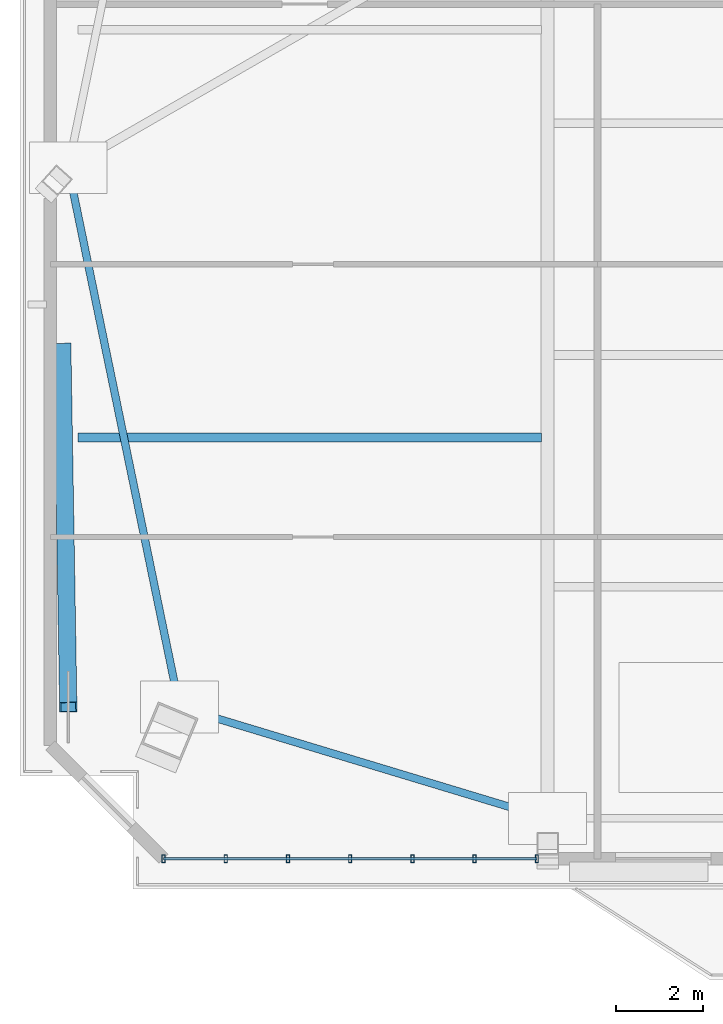
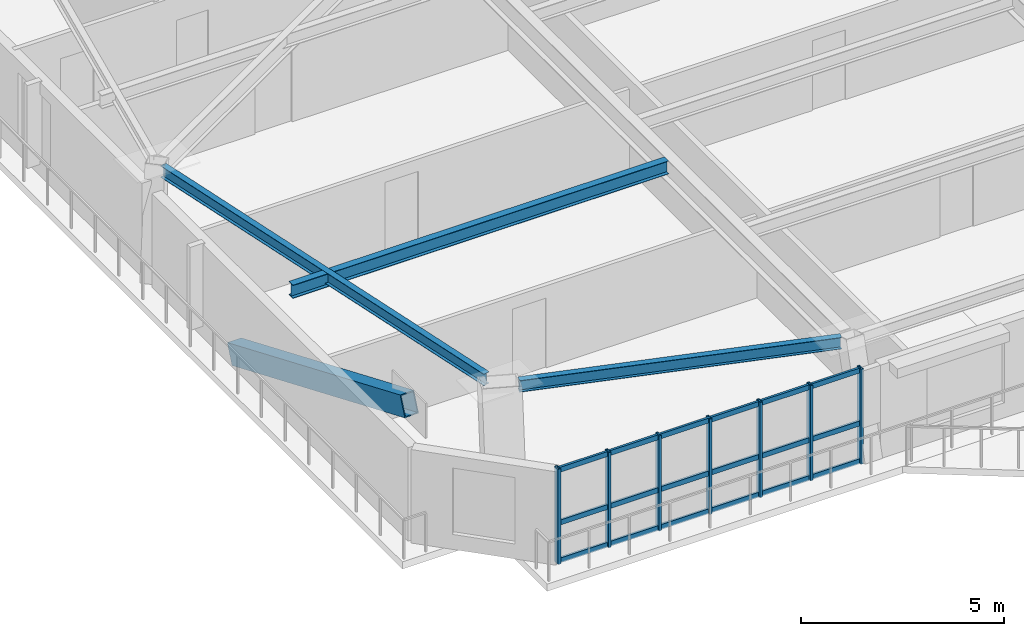
# One storey, part 2 of 16: 11 members, 3 beams, 1 element without a shape of its own.
"""IFC4 building model written with IfcOpenShell, lengths in metres."""

from ifc_helpers import new_model, si_unit, direction, frame, origin, origin_2d, place, context, subcontext, project, spatial, hollow_rectangle, i_section, extrude, source, transform, mapped, material, layer, layer_set, material_profile, profile_set, type_object, element, aggregate, save


model = new_model("IFC4")

# Units and contexts
model_context = context("Model", 3, precision=1e-05, world=origin(), true_north=direction((0.0, 1.0)))
body_context = subcontext(model_context, "Body", "Model", "MODEL_VIEW")
ifc_project = project(units=[si_unit("LENGTHUNIT", "METRE"), si_unit("AREAUNIT", "SQUARE_METRE"), si_unit("VOLUMEUNIT", "CUBIC_METRE"), si_unit("PLANEANGLEUNIT", "RADIAN"), si_unit("MASSUNIT", "GRAM", prefix="KILO")], contexts=[model_context])

# Site, building, storey
site_placement = place(None, origin())
site = spatial("IfcSite", under=ifc_project, at=site_placement, CompositionType="ELEMENT")
building_placement = place(site_placement, origin())
building = spatial("IfcBuilding", under=site, at=building_placement, Name="Giltprow Tower", CompositionType="ELEMENT")
storey_placement = place(building_placement, frame((0.0, 0.0, 255.300048828125)))
storey = spatial("IfcBuildingStorey", under=building, at=storey_placement, Name="L65", CompositionType="ELEMENT", Elevation=255.300048828125)

# Beams
ifc_material_1 = material(Name="Structural steel Q355B", Category="steel")
ifc_material_profile_1 = material_profile(ifc_material_1, i_section(OverallWidth=0.175048828125, OverallDepth=0.35009765625, WebThickness=0.007080078125, FlangeThickness=0.010986328125, at=origin_2d()), Name="HN 350x175x7x11")
ifc_profile_set_1 = profile_set([ifc_material_profile_1], Name="Structural steel Q355B")
beam_type_1 = type_object("IfcBeamType", Name="BM-SPAN-HN350", PredefinedType="SPANDREL", material=ifc_profile_set_1)
shared_shape_1 = source(origin(), body_context, "Body", "SweptSolid", [
    extrude(i_section(OverallWidth=0.175048828125, OverallDepth=0.35009765625, WebThickness=0.007080078125, FlangeThickness=0.010986328125, at=origin_2d()), origin(), (0.0, 0.0, 1.0), 8.161865234375),
])
beam_1_placement = place(storey_placement, frame((11.81201171875, 18.47412109375, 3.010009765625), z_axis=(0.957244757, -0.289279233952, 0.0), x_axis=(0.289279233952, 0.957244757, 0.0)))
element("IfcBeam", 1, at=beam_1_placement, inside=storey, type_object=beam_type_1, Name="L65 Perimeter Spandrel Beam MC_SW-S1", PredefinedType="SPANDREL", context=body_context, shape_type="MappedRepresentation", body=[
    mapped(shared_shape_1, transform((0.0, 0.0, 0.0), x_axis=(1.0, 0.0, 0.0), y_axis=(0.0, 1.0, 0.0), z_axis=(0.0, 0.0, 1.0), scale=1.0)),
])
shared_shape_2 = source(origin(), body_context, "Body", "SweptSolid", [
    extrude(i_section(OverallWidth=0.175048828125, OverallDepth=0.35009765625, WebThickness=0.007080078125, FlangeThickness=0.010986328125, at=origin_2d()), origin(), (0.0, 0.0, 1.0), 12.000244140625),
])
beam_2_placement = place(storey_placement, frame((8.825927734375, 30.842041015625, 3.010009765625), z_axis=(0.202000773979, -0.979385362006, 0.0), x_axis=(0.979385362006, 0.202000773979, 0.0)))
element("IfcBeam", 2, at=beam_2_placement, inside=storey, type_object=beam_type_1, Name="L65 Perimeter Spandrel Beam W_MID-MC_SW", PredefinedType="SPANDREL", context=body_context, shape_type="MappedRepresentation", body=[
    mapped(shared_shape_2, transform((0.0, 0.0, 0.0), x_axis=(1.0, 0.0, 0.0), y_axis=(0.0, 1.0, 0.0), z_axis=(0.0, 0.0, 1.0), scale=1.0)),
])
ifc_material_profile_2 = material_profile(ifc_material_1, i_section(OverallWidth=0.199951171875, OverallDepth=0.39990234375, WebThickness=0.008056640625, FlangeThickness=0.012939453125, at=origin_2d()), Name="HN 400x200x8x13")
ifc_profile_set_2 = profile_set([ifc_material_profile_2], Name="Structural steel Q355B")
beam_type_2 = type_object("IfcBeamType", Name="BM-JOIST-HN400", PredefinedType="JOIST", material=ifc_profile_set_2)
shared_shape_3 = source(origin(), body_context, "Body", "SweptSolid", [
    extrude(i_section(OverallWidth=0.199951171875, OverallDepth=0.39990234375, WebThickness=0.008056640625, FlangeThickness=0.012939453125, at=origin_2d()), origin(), (0.0, 0.0, 1.0), 10.7060546875),
])
beam_3_placement = place(storey_placement, frame((8.9990234375, 24.843017578125, 2.98486328125), z_axis=(1.0, 0.0, 0.0), x_axis=(0.0, 1.0, 0.0)))
element("IfcBeam", 3, at=beam_3_placement, inside=storey, type_object=beam_type_2, Name="L65 West Wing Floor Joist 1", PredefinedType="JOIST", context=body_context, shape_type="MappedRepresentation", body=[
    mapped(shared_shape_3, transform((0.0, 0.0, 0.0), x_axis=(1.0, 0.0, 0.0), y_axis=(0.0, 1.0, 0.0), z_axis=(0.0, 0.0, 1.0), scale=1.0)),
])

# Member
ifc_material_2 = material(Name="Structural steel Q420GJC", Category="steel")
ifc_material_profile_3 = material_profile(ifc_material_2, hollow_rectangle(XDim=0.39990234375, YDim=0.60009765625, WallThickness=0.028076171875, at=origin_2d()), Name="RHS 600x400x28")
ifc_profile_set_3 = profile_set([ifc_material_profile_3], Name="Structural steel Q420GJC")
member_type_1 = type_object("IfcMemberType", Name="MBR-MEGA-RHS600", PredefinedType="BRACE", material=ifc_profile_set_3)
shared_shape_4 = source(origin(), body_context, "Body", "SweptSolid", [
    extrude(hollow_rectangle(XDim=0.39990234375, YDim=0.60009765625, WallThickness=0.028076171875, at=origin_2d()), origin(), (0.0, 0.0, 1.0), 8.961181640625),
])
member_1_placement = place(storey_placement, frame((8.64111328125, 26.904052734375, 0.0), z_axis=(0.015392966169, -0.92510364469, 0.379402560842), x_axis=(0.999861597581, 0.016636877213, 0.0)))
element("IfcMember", 4, at=member_1_placement, inside=storey, type_object=member_type_1, Name="L65 Chevron Mega-Brace W-D", PredefinedType="BRACE", context=body_context, shape_type="MappedRepresentation", body=[
    mapped(shared_shape_4, transform((0.0, 0.0, 0.0), x_axis=(1.0, 0.0, 0.0), y_axis=(0.0, 1.0, 0.0), z_axis=(0.0, 0.0, 1.0), scale=1.0)),
])

# Curtain wall, members
ifc_material_3 = material(Name="Anodized bronze", Category="metal")
ifc_layer = layer(ifc_material_3, 0.179931640625, Name="Anodized bronze")
ifc_layer_set = layer_set([ifc_layer], Name="Anodized bronze")
curtain_wall_type = type_object("IfcCurtainWallType", Name="CW-RES-SKY", PredefinedType="NOTDEFINED", material=ifc_layer_set)
curtain_wall_placement = place(storey_placement, origin())
curtain_wall = element("IfcCurtainWall", 5, at=curtain_wall_placement, inside=storey, type_object=curtain_wall_type, Name="L65 South Recessed Curtain Wall 1", PredefinedType="NOTDEFINED")
ifc_material_profile_4 = material_profile(ifc_material_3, hollow_rectangle(XDim=0.074951171875, YDim=0.179931640625, WallThickness=0.008056640625, at=origin_2d()), Name="RHS 180x75x8")
ifc_profile_set_4 = profile_set([ifc_material_profile_4], Name="Anodized bronze")
member_type_2 = type_object("IfcMemberType", Name="CW-MULLION-180x75", PredefinedType="MULLION", material=ifc_profile_set_4)
shared_shape_5 = source(origin(), body_context, "Body", "SweptSolid", [
    extrude(hollow_rectangle(XDim=0.074951171875, YDim=0.179931640625, WallThickness=0.008056640625, at=origin_2d()), origin(), (0.0, 0.0, 1.0), 2.869873046875),
])
member_2_placement = place(storey_placement, frame((10.97900390625, 15.113037109375, -0.02001953125), z_axis=(0.0, 0.0, 1.0), x_axis=(1.0, 0.0, 0.0)))
member_2 = element("IfcMember", 6, at=member_2_placement, type_object=member_type_2, Name="L65 South Recessed Curtain Wall 1 Mullion 1", PredefinedType="MULLION", context=body_context, shape_type="MappedRepresentation", body=[
    mapped(shared_shape_5, transform((0.0, 0.0, 0.0), x_axis=(1.0, 0.0, 0.0), y_axis=(0.0, 1.0, 0.0), z_axis=(0.0, 0.0, 1.0), scale=1.0)),
])
member_3_placement = place(storey_placement, frame((12.416015625, 15.113037109375, -0.02001953125), z_axis=(0.0, 0.0, 1.0), x_axis=(1.0, 0.0, 0.0)))
member_3 = element("IfcMember", 7, at=member_3_placement, type_object=member_type_2, Name="L65 South Recessed Curtain Wall 1 Mullion 2", PredefinedType="MULLION", context=body_context, shape_type="MappedRepresentation", body=[
    mapped(shared_shape_5, transform((0.0, 0.0, 0.0), x_axis=(1.0, 0.0, 0.0), y_axis=(0.0, 1.0, 0.0), z_axis=(0.0, 0.0, 1.0), scale=1.0)),
])
member_4_placement = place(storey_placement, frame((13.85302734375, 15.113037109375, -0.02001953125), z_axis=(0.0, 0.0, 1.0), x_axis=(1.0, 0.0, 0.0)))
member_4 = element("IfcMember", 8, at=member_4_placement, type_object=member_type_2, Name="L65 South Recessed Curtain Wall 1 Mullion 3", PredefinedType="MULLION", context=body_context, shape_type="MappedRepresentation", body=[
    mapped(shared_shape_5, transform((0.0, 0.0, 0.0), x_axis=(1.0, 0.0, 0.0), y_axis=(0.0, 1.0, 0.0), z_axis=(0.0, 0.0, 1.0), scale=1.0)),
])
member_5_placement = place(storey_placement, frame((15.2900390625, 15.113037109375, -0.02001953125), z_axis=(0.0, 0.0, 1.0), x_axis=(1.0, 0.0, 0.0)))
member_5 = element("IfcMember", 9, at=member_5_placement, type_object=member_type_2, Name="L65 South Recessed Curtain Wall 1 Mullion 4", PredefinedType="MULLION", context=body_context, shape_type="MappedRepresentation", body=[
    mapped(shared_shape_5, transform((0.0, 0.0, 0.0), x_axis=(1.0, 0.0, 0.0), y_axis=(0.0, 1.0, 0.0), z_axis=(0.0, 0.0, 1.0), scale=1.0)),
])
member_6_placement = place(storey_placement, frame((16.72607421875, 15.113037109375, -0.02001953125), z_axis=(0.0, 0.0, 1.0), x_axis=(1.0, 0.0, 0.0)))
member_6 = element("IfcMember", 10, at=member_6_placement, type_object=member_type_2, Name="L65 South Recessed Curtain Wall 1 Mullion 5", PredefinedType="MULLION", context=body_context, shape_type="MappedRepresentation", body=[
    mapped(shared_shape_5, transform((0.0, 0.0, 0.0), x_axis=(1.0, 0.0, 0.0), y_axis=(0.0, 1.0, 0.0), z_axis=(0.0, 0.0, 1.0), scale=1.0)),
])
member_7_placement = place(storey_placement, frame((18.1630859375, 15.113037109375, -0.02001953125), z_axis=(0.0, 0.0, 1.0), x_axis=(1.0, 0.0, 0.0)))
member_7 = element("IfcMember", 11, at=member_7_placement, type_object=member_type_2, Name="L65 South Recessed Curtain Wall 1 Mullion 6", PredefinedType="MULLION", context=body_context, shape_type="MappedRepresentation", body=[
    mapped(shared_shape_5, transform((0.0, 0.0, 0.0), x_axis=(1.0, 0.0, 0.0), y_axis=(0.0, 1.0, 0.0), z_axis=(0.0, 0.0, 1.0), scale=1.0)),
])
member_8_placement = place(storey_placement, frame((19.60009765625, 15.113037109375, -0.02001953125), z_axis=(0.0, 0.0, 1.0), x_axis=(1.0, 0.0, 0.0)))
member_8 = element("IfcMember", 12, at=member_8_placement, type_object=member_type_2, Name="L65 South Recessed Curtain Wall 1 Mullion 7", PredefinedType="MULLION", context=body_context, shape_type="MappedRepresentation", body=[
    mapped(shared_shape_5, transform((0.0, 0.0, 0.0), x_axis=(1.0, 0.0, 0.0), y_axis=(0.0, 1.0, 0.0), z_axis=(0.0, 0.0, 1.0), scale=1.0)),
])
ifc_material_profile_5 = material_profile(ifc_material_3, hollow_rectangle(XDim=0.06494140625, YDim=0.14990234375, WallThickness=0.006103515625, at=origin_2d()), Name="RHS 150x65x6")
ifc_profile_set_5 = profile_set([ifc_material_profile_5], Name="Anodized bronze")
member_type_3 = type_object("IfcMemberType", Name="CW-TRANSOM-150x65", PredefinedType="USERDEFINED", material=ifc_profile_set_5)
shared_shape_6 = source(origin(), body_context, "Body", "SweptSolid", [
    extrude(hollow_rectangle(XDim=0.06494140625, YDim=0.14990234375, WallThickness=0.006103515625, at=origin_2d()), origin(), (0.0, 0.0, 1.0), 8.62109375),
])
member_9_placement = place(storey_placement, frame((10.97900390625, 15.113037109375, 0.0400390625), z_axis=(1.0, 0.0, 0.0), x_axis=(0.0, 1.0, 0.0)))
member_9 = element("IfcMember", 13, at=member_9_placement, type_object=member_type_3, Name="L65 South Recessed Curtain Wall 1 Transom 1", ObjectType="TRANSOM", PredefinedType="USERDEFINED", context=body_context, shape_type="MappedRepresentation", body=[
    mapped(shared_shape_6, transform((0.0, 0.0, 0.0), x_axis=(1.0, 0.0, 0.0), y_axis=(0.0, 1.0, 0.0), z_axis=(0.0, 0.0, 1.0), scale=1.0)),
])
member_10_placement = place(storey_placement, frame((10.97900390625, 15.113037109375, 1.181884765625), z_axis=(1.0, 0.0, 0.0), x_axis=(0.0, 1.0, 0.0)))
member_10 = element("IfcMember", 14, at=member_10_placement, type_object=member_type_3, Name="L65 South Recessed Curtain Wall 1 Transom 2", ObjectType="TRANSOM", PredefinedType="USERDEFINED", context=body_context, shape_type="MappedRepresentation", body=[
    mapped(shared_shape_6, transform((0.0, 0.0, 0.0), x_axis=(1.0, 0.0, 0.0), y_axis=(0.0, 1.0, 0.0), z_axis=(0.0, 0.0, 1.0), scale=1.0)),
])
member_11_placement = place(storey_placement, frame((10.97900390625, 15.113037109375, 2.77490234375), z_axis=(1.0, 0.0, 0.0), x_axis=(0.0, 1.0, 0.0)))
member_11 = element("IfcMember", 15, at=member_11_placement, type_object=member_type_3, Name="L65 South Recessed Curtain Wall 1 Transom 3", ObjectType="TRANSOM", PredefinedType="USERDEFINED", context=body_context, shape_type="MappedRepresentation", body=[
    mapped(shared_shape_6, transform((0.0, 0.0, 0.0), x_axis=(1.0, 0.0, 0.0), y_axis=(0.0, 1.0, 0.0), z_axis=(0.0, 0.0, 1.0), scale=1.0)),
])
aggregate(curtain_wall, [member_2, member_3, member_4, member_5, member_6, member_7, member_8, member_9, member_10, member_11])

save(model, "model.ifc")
